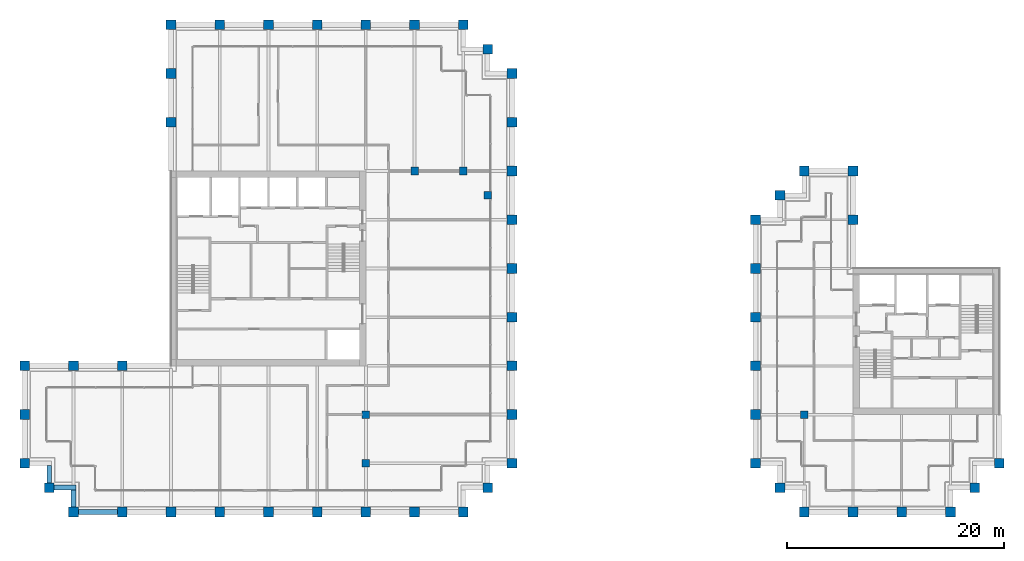
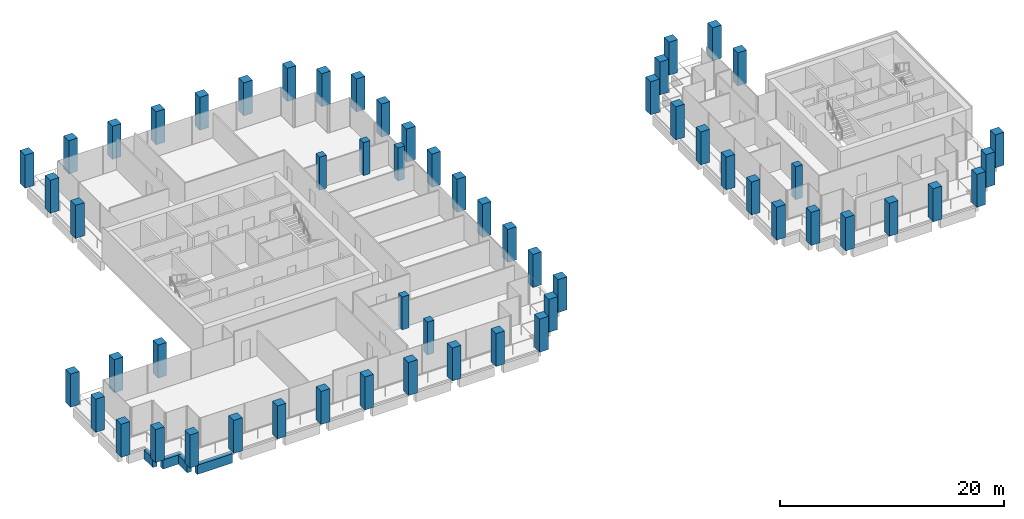
# One storey, part 1 of 40: 58 columns, 4 beams.
"""IFC4 building model written with IfcOpenShell, lengths in metres."""

from ifc_helpers import new_model, si_unit, direction, frame, origin, origin_2d, place, context, subcontext, project, spatial, rectangle, extrude, material, material_profile, profile_set, type_object, element, save


model = new_model("IFC4")

# Units and contexts
model_context = context("Model", 3, precision=1e-05, world=origin(), true_north=direction((0.0, 1.0)))
body_context = subcontext(model_context, "Body", "Model", "MODEL_VIEW")
ifc_project = project(units=[si_unit("LENGTHUNIT", "METRE"), si_unit("AREAUNIT", "SQUARE_METRE"), si_unit("VOLUMEUNIT", "CUBIC_METRE"), si_unit("PLANEANGLEUNIT", "RADIAN"), si_unit("MASSUNIT", "GRAM", prefix="KILO")], contexts=[model_context])

# Site, building, storey
site_placement = place(None, origin())
site = spatial("IfcSite", under=ifc_project, at=site_placement, CompositionType="ELEMENT")
building_placement = place(site_placement, origin())
building = spatial("IfcBuilding", under=site, at=building_placement, Name="Altepetl Exchange Towers", CompositionType="ELEMENT")
storey_placement = place(building_placement, frame((0.0, 0.0, 147.39990234375)))
storey = spatial("IfcBuildingStorey", under=building, at=storey_placement, Name="L36", CompositionType="ELEMENT", Elevation=147.39990234375)

# Columns
ifc_material_1 = material(Name="Concrete C70/85", Category="concrete")
ifc_material_profile_1 = material_profile(ifc_material_1, rectangle(XDim=0.699951171875, YDim=0.699951171875, at=origin_2d()), Name="700 x 700")
ifc_profile_set_1 = profile_set([ifc_material_profile_1], Name="Concrete C70/85")
column_type_1 = type_object("IfcColumnType", Name="Interior column 700", PredefinedType="COLUMN", material=ifc_profile_set_1)
for number, where, name in (
    (1, (58.5, 31.5, 0.0), "col:A:L36:035"),
    (2, (58.5, 36.0, 0.0), "col:A:L36:036"),
    (3, (63.0, 58.5, 0.0), "col:A:L36:037"),
    (4, (67.5, 58.5, 0.0), "col:A:L36:038"),
    (5, (69.75, 56.25, 0.0), "col:A:L36:039"),
    (6, (99.0, 36.0, 0.0), "col:B:L36:017"),
):
    element("IfcColumn", number, at=place(storey_placement, frame(where)), inside=storey, type_object=column_type_1, Name=name, PredefinedType="COLUMN", context=body_context, shape_type="SweptSolid", body=[
        extrude(rectangle(XDim=0.699951171875, YDim=0.699951171875, at=origin_2d()), origin(), (0.0, 0.0, 1.0), 3.60009765625),
    ])
ifc_material_2 = material(Name="Concrete C70/85 precast with cantera amarilla facing", Category="concrete")
ifc_material_profile_2 = material_profile(ifc_material_2, rectangle(XDim=0.89990234375, YDim=0.89990234375, at=origin_2d()), Name="900 x 900")
ifc_profile_set_2 = profile_set([ifc_material_profile_2], Name="Concrete C70/85 precast with cantera amarilla facing")
column_type_2 = type_object("IfcColumnType", Name="Perimeter column 900 cantera amarilla", PredefinedType="COLUMN", material=ifc_profile_set_2)
for number, where, name in (
    (7, (58.5, 27.0, 0.0), "col:A:L36:006"),
    (8, (63.0, 27.0, 0.0), "col:A:L36:007"),
    (9, (67.5, 27.0, 0.0), "col:A:L36:008"),
    (10, (69.75, 29.25, 0.0), "col:A:L36:009"),
    (11, (72.0, 31.5, 0.0), "col:A:L36:010"),
    (12, (72.0, 36.0, 0.0), "col:A:L36:011"),
    (13, (72.0, 40.5, 0.0), "col:A:L36:012"),
    (14, (72.0, 45.0, 0.0), "col:A:L36:013"),
    (15, (72.0, 49.5, 0.0), "col:A:L36:014"),
    (16, (72.0, 54.0, 0.0), "col:A:L36:015"),
):
    element("IfcColumn", number, at=place(storey_placement, frame(where)), inside=storey, type_object=column_type_2, Name=name, PredefinedType="COLUMN", context=body_context, shape_type="SweptSolid", body=[
        extrude(rectangle(XDim=0.89990234375, YDim=0.89990234375, at=origin_2d()), origin(), (0.0, 0.0, 1.0), 3.60009765625),
    ])
ifc_material_3 = material(Name="Concrete C70/85 precast with cantera blanca facing", Category="concrete")
ifc_material_profile_3 = material_profile(ifc_material_3, rectangle(XDim=0.89990234375, YDim=0.89990234375, at=origin_2d()), Name="900 x 900")
ifc_profile_set_3 = profile_set([ifc_material_profile_3], Name="Concrete C70/85 precast with cantera blanca facing")
column_type_3 = type_object("IfcColumnType", Name="Perimeter column 900 cantera blanca", PredefinedType="COLUMN", material=ifc_profile_set_3)
for number, where, name in (
    (17, (31.5, 27.0, 0.0), "col:A:L36:000"),
    (18, (36.0, 27.0, 0.0), "col:A:L36:001"),
    (19, (40.5, 27.0, 0.0), "col:A:L36:002"),
    (20, (45.0, 27.0, 0.0), "col:A:L36:003"),
    (21, (49.5, 27.0, 0.0), "col:A:L36:004"),
    (22, (54.0, 27.0, 0.0), "col:A:L36:005"),
    (23, (27.0, 36.0, 0.0), "col:A:L36:032"),
    (24, (27.0, 31.5, 0.0), "col:A:L36:033"),
    (25, (29.25, 29.25, 0.0), "col:A:L36:034"),
    (26, (117.0, 31.5, 0.0), "col:B:L36:005"),
):
    element("IfcColumn", number, at=place(storey_placement, frame(where)), inside=storey, type_object=column_type_3, Name=name, PredefinedType="COLUMN", context=body_context, shape_type="SweptSolid", body=[
        extrude(rectangle(XDim=0.89990234375, YDim=0.89990234375, at=origin_2d()), origin(), (0.0, 0.0, 1.0), 3.60009765625),
    ])
ifc_material_4 = material(Name="Concrete C70/85 precast with cantera rosa facing", Category="concrete")
ifc_material_profile_4 = material_profile(ifc_material_4, rectangle(XDim=0.89990234375, YDim=0.89990234375, at=origin_2d()), Name="900 x 900")
ifc_profile_set_4 = profile_set([ifc_material_profile_4], Name="Concrete C70/85 precast with cantera rosa facing")
column_type_4 = type_object("IfcColumnType", Name="Perimeter column 900 cantera rosa", PredefinedType="COLUMN", material=ifc_profile_set_4)
for number, where, name in (
    (27, (72.0, 58.5, 0.0), "col:A:L36:016"),
    (28, (72.0, 63.0, 0.0), "col:A:L36:017"),
    (29, (72.0, 67.5, 0.0), "col:A:L36:018"),
    (30, (69.75, 69.75, 0.0), "col:A:L36:019"),
    (31, (67.5, 72.0, 0.0), "col:A:L36:020"),
    (32, (63.0, 72.0, 0.0), "col:A:L36:021"),
    (33, (58.5, 72.0, 0.0), "col:A:L36:022"),
    (34, (54.0, 72.0, 0.0), "col:A:L36:023"),
    (35, (49.5, 72.0, 0.0), "col:A:L36:024"),
    (36, (45.0, 72.0, 0.0), "col:A:L36:025"),
    (37, (103.5, 54.0, 0.0), "col:B:L36:006"),
    (38, (103.5, 58.5, 0.0), "col:B:L36:007"),
    (39, (99.0, 58.5, 0.0), "col:B:L36:008"),
    (40, (96.75, 56.25, 0.0), "col:B:L36:009"),
    (41, (94.5, 54.0, 0.0), "col:B:L36:010"),
    (42, (94.5, 49.5, 0.0), "col:B:L36:011"),
    (43, (94.5, 45.0, 0.0), "col:B:L36:012"),
    (44, (94.5, 40.5, 0.0), "col:B:L36:013"),
    (45, (94.5, 36.0, 0.0), "col:B:L36:014"),
):
    element("IfcColumn", number, at=place(storey_placement, frame(where)), inside=storey, type_object=column_type_4, Name=name, PredefinedType="COLUMN", context=body_context, shape_type="SweptSolid", body=[
        extrude(rectangle(XDim=0.89990234375, YDim=0.89990234375, at=origin_2d()), origin(), (0.0, 0.0, 1.0), 3.60009765625),
    ])
ifc_material_5 = material(Name="Concrete C70/85 precast with tezontle facing", Category="concrete")
ifc_material_profile_5 = material_profile(ifc_material_5, rectangle(XDim=0.89990234375, YDim=0.89990234375, at=origin_2d()), Name="900 x 900")
ifc_profile_set_5 = profile_set([ifc_material_profile_5], Name="Concrete C70/85 precast with tezontle facing")
column_type_5 = type_object("IfcColumnType", Name="Perimeter column 900 tezontle", PredefinedType="COLUMN", material=ifc_profile_set_5)
for number, where, name in (
    (46, (40.5, 72.0, 0.0), "col:A:L36:026"),
    (47, (40.5, 67.5, 0.0), "col:A:L36:027"),
    (48, (40.5, 63.0, 0.0), "col:A:L36:028"),
    (49, (36.0, 40.5, 0.0), "col:A:L36:029"),
    (50, (31.5, 40.5, 0.0), "col:A:L36:030"),
    (51, (27.0, 40.5, 0.0), "col:A:L36:031"),
    (52, (99.0, 27.0, 0.0), "col:B:L36:000"),
    (53, (103.5, 27.0, 0.0), "col:B:L36:001"),
    (54, (108.0, 27.0, 0.0), "col:B:L36:002"),
    (55, (112.5, 27.0, 0.0), "col:B:L36:003"),
    (56, (114.75, 29.25, 0.0), "col:B:L36:004"),
    (57, (94.5, 31.5, 0.0), "col:B:L36:015"),
    (58, (96.75, 29.25, 0.0), "col:B:L36:016"),
):
    element("IfcColumn", number, at=place(storey_placement, frame(where)), inside=storey, type_object=column_type_5, Name=name, PredefinedType="COLUMN", context=body_context, shape_type="SweptSolid", body=[
        extrude(rectangle(XDim=0.89990234375, YDim=0.89990234375, at=origin_2d()), origin(), (0.0, 0.0, 1.0), 3.60009765625),
    ])

# Beams
ifc_material_6 = material(Name="Concrete C50/60 precast with cantera blanca facing", Category="concrete")
ifc_material_profile_6 = material_profile(ifc_material_6, rectangle(XDim=0.449951171875, YDim=1.0, at=origin_2d()), Name="450 x 1000")
ifc_profile_set_6 = profile_set([ifc_material_profile_6], Name="Concrete C50/60 precast with cantera blanca facing")
beam_type = type_object("IfcBeamType", Name="Spandrel beam 450x1000 cantera blanca", PredefinedType="SPANDREL", material=ifc_profile_set_6)
beam_1_placement = place(storey_placement, frame((31.949951171875, 27.0, -0.64990234375), z_axis=(1.0, 0.0, 0.0), x_axis=(0.0, 1.0, 0.0)))
element("IfcBeam", 59, at=beam_1_placement, inside=storey, type_object=beam_type, Name="sp:A:L36:000", PredefinedType="SPANDREL", context=body_context, shape_type="SweptSolid", body=[
    extrude(rectangle(XDim=0.449951171875, YDim=1.0, at=origin_2d()), origin(), (0.0, 0.0, 1.0), 3.60009765625),
])
beam_2_placement = place(storey_placement, frame((29.25, 31.27490234375, -0.64990234375), z_axis=(0.0, -1.0, 0.0), x_axis=(1.0, 0.0, 0.0)))
element("IfcBeam", 60, at=beam_2_placement, inside=storey, type_object=beam_type, Name="sp:A:L36:039", PredefinedType="SPANDREL", context=body_context, shape_type="SweptSolid", body=[
    extrude(rectangle(XDim=0.449951171875, YDim=1.0, at=origin_2d()), origin(), (0.0, 0.0, 1.0), 1.574951171875),
])
beam_3_placement = place(storey_placement, frame((29.699951171875, 29.25, -0.64990234375), z_axis=(1.0, 0.0, 0.0), x_axis=(0.0, 1.0, 0.0)))
element("IfcBeam", 61, at=beam_3_placement, inside=storey, type_object=beam_type, Name="sp:A:L36:040", PredefinedType="SPANDREL", context=body_context, shape_type="SweptSolid", body=[
    extrude(rectangle(XDim=0.449951171875, YDim=1.0, at=origin_2d()), origin(), (0.0, 0.0, 1.0), 2.025146484375),
])
beam_4_placement = place(storey_placement, frame((31.5, 29.02490234375, -0.64990234375), z_axis=(0.0, -1.0, 0.0), x_axis=(1.0, 0.0, 0.0)))
element("IfcBeam", 62, at=beam_4_placement, inside=storey, type_object=beam_type, Name="sp:A:L36:041", PredefinedType="SPANDREL", context=body_context, shape_type="SweptSolid", body=[
    extrude(rectangle(XDim=0.449951171875, YDim=1.0, at=origin_2d()), origin(), (0.0, 0.0, 1.0), 1.574951171875),
])

save(model, "model.ifc")
